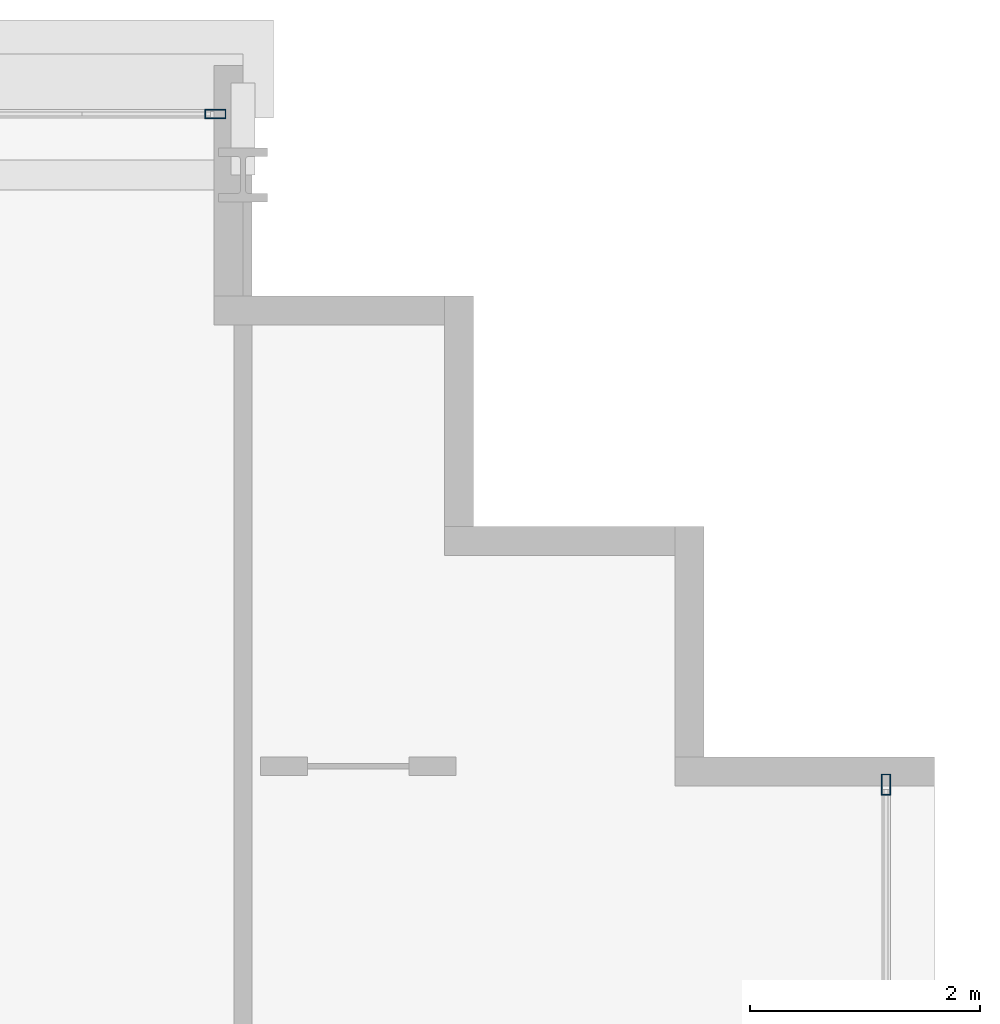
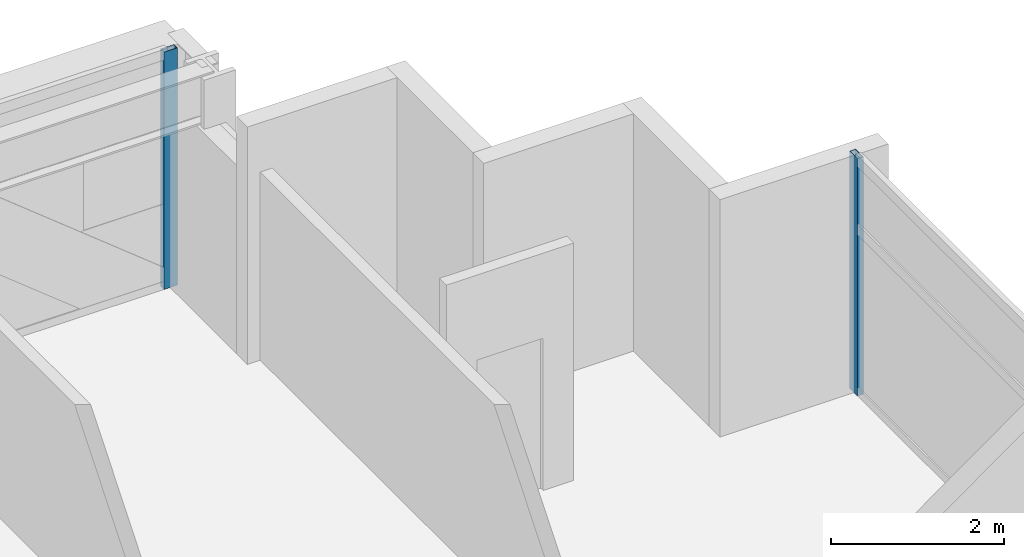
# One storey, part 22 of 36: 2 members, 2 elements without a shape of their own.
"""IFC4 building model written with IfcOpenShell, lengths in metres."""

from ifc_helpers import new_model, si_unit, direction, frame, origin, origin_2d, place, context, subcontext, project, spatial, hollow_rectangle, extrude, source, transform, mapped, material, layer, layer_set, material_profile, profile_set, type_object, element, aggregate, save


model = new_model("IFC4")

# Units and contexts
model_context = context("Model", 3, precision=1e-05, world=origin(), true_north=direction((0.0, 1.0)))
body_context = subcontext(model_context, "Body", "Model", "MODEL_VIEW")
ifc_project = project(units=[si_unit("LENGTHUNIT", "METRE"), si_unit("AREAUNIT", "SQUARE_METRE"), si_unit("VOLUMEUNIT", "CUBIC_METRE"), si_unit("PLANEANGLEUNIT", "RADIAN"), si_unit("MASSUNIT", "GRAM", prefix="KILO")], contexts=[model_context])

# Site, building, storey
site_placement = place(None, origin())
site = spatial("IfcSite", under=ifc_project, at=site_placement, CompositionType="ELEMENT")
building_placement = place(site_placement, origin())
building = spatial("IfcBuilding", under=site, at=building_placement, Name="Ocotamira Hotel", CompositionType="ELEMENT")
storey_placement = place(building_placement, frame((0.0, 0.0, 42.0)))
storey = spatial("IfcBuildingStorey", under=building, at=storey_placement, Name="L09", CompositionType="ELEMENT", Elevation=42.0)

# Curtain wall, member
ifc_material_1 = material(Name="Anodised pale-metal aluminium and solar glass", Category="aluminium")
ifc_layer = layer(ifc_material_1, 0.179931640625)
ifc_layer_set = layer_set([ifc_layer], Name="Anodised pale-metal aluminium and solar glass")
curtain_wall_type = type_object("IfcCurtainWallType", Name="CW-SYS2-Z1", PredefinedType="NOTDEFINED", material=ifc_layer_set)
curtain_wall_1_placement = place(storey_placement, origin())
curtain_wall_1 = element("IfcCurtainWall", 1, at=curtain_wall_1_placement, inside=storey, type_object=curtain_wall_type, Name="L09 Curtain Wall CW-2 CW-L09-N", PredefinedType="NOTDEFINED")
ifc_material_2 = material(Name="Anodised pale-metal aluminium 6063-T6", Category="aluminium")
ifc_material_profile = material_profile(ifc_material_2, hollow_rectangle(XDim=0.080078125, YDim=0.179931640625, WallThickness=0.006103515625, at=origin_2d()), Name="HSS180X80X6")
ifc_profile_set = profile_set([ifc_material_profile], Name="Anodised pale-metal aluminium 6063-T6")
member_type = type_object("IfcMemberType", Name="CWM-180X75", PredefinedType="MULLION", material=ifc_profile_set)
shared_shape = source(origin(), body_context, "Body", "SweptSolid", [
    extrude(hollow_rectangle(XDim=0.080078125, YDim=0.179931640625, WallThickness=0.006103515625, at=origin_2d()), origin(), (0.0, 0.0, 1.0), 3.35009765625),
])
member_1_placement = place(storey_placement, frame((49.760009765625, 49.580078125, 0.0), z_axis=(0.0, 0.0, 1.0), x_axis=(0.0, 1.0, 0.0)))
member_1 = element("IfcMember", 2, at=member_1_placement, type_object=member_type, Name="CW-2 mullion 10", PredefinedType="MULLION", context=body_context, shape_type="MappedRepresentation", body=[
    mapped(shared_shape, transform((0.0, 0.0, 0.0), scale=1.0)),
])
aggregate(curtain_wall_1, [member_1])

curtain_wall_2_placement = place(storey_placement, origin())
curtain_wall_2 = element("IfcCurtainWall", 3, at=curtain_wall_2_placement, inside=storey, type_object=curtain_wall_type, Name="L09 Curtain Wall CW-2 CW-L09-E", PredefinedType="NOTDEFINED")
member_2_placement = place(storey_placement, frame((55.580078125, 43.760009765625, 0.0), z_axis=(0.0, 0.0, 1.0), x_axis=(-1.0, 0.0, 0.0)))
member_2 = element("IfcMember", 4, at=member_2_placement, type_object=member_type, Name="CW-2 mullion 8", PredefinedType="MULLION", context=body_context, shape_type="MappedRepresentation", body=[
    mapped(shared_shape, transform((0.0, 0.0, 0.0), scale=1.0)),
])
aggregate(curtain_wall_2, [member_2])

save(model, "model.ifc")
